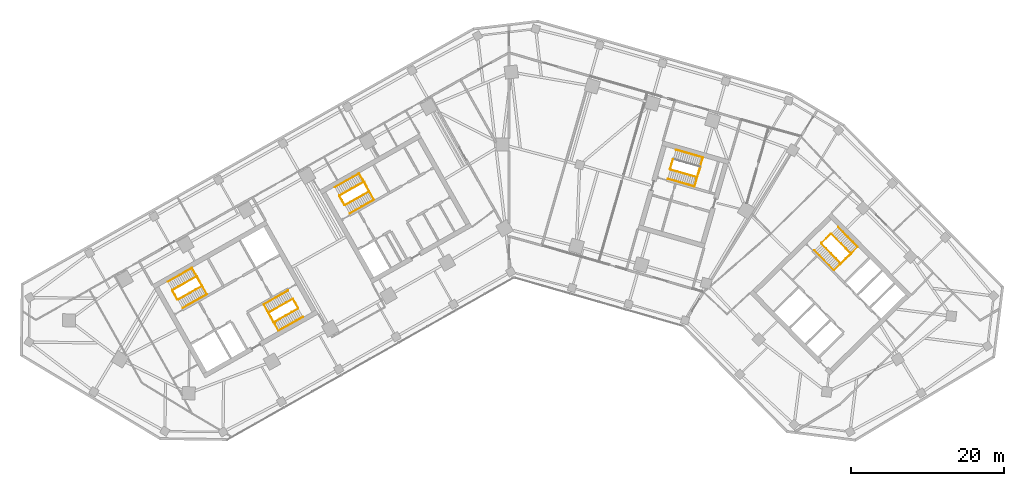
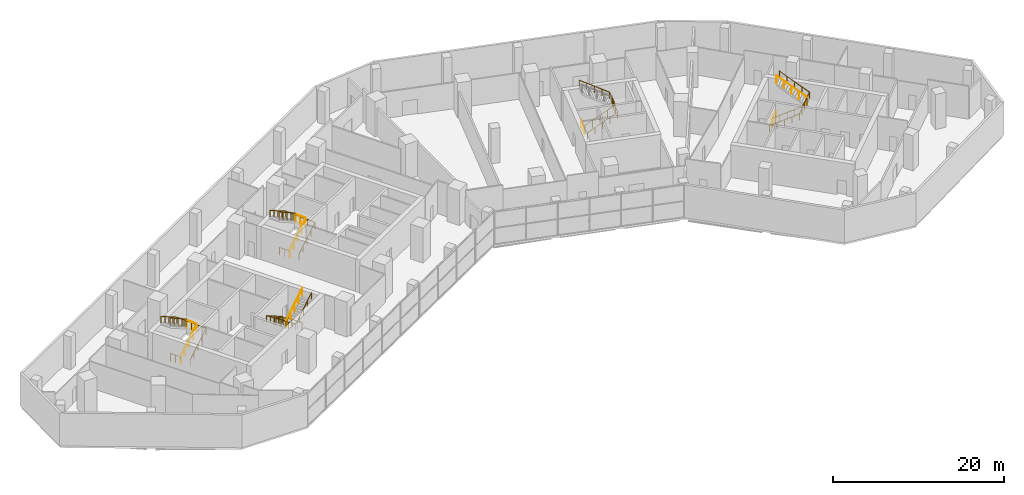
# One storey, part 15 of 16: 19 railings.
"""IFC4 building model written with IfcOpenShell, lengths in metres."""

from ifc_helpers import new_model, si_unit, direction, frame, origin, origin_2d, place, context, subcontext, project, spatial, circle, extrude, material, type_object, element, save


model = new_model("IFC4")

# Units and contexts
model_context = context("Model", 3, precision=1e-05, world=origin(), true_north=direction((0.0, 1.0)))
body_context = subcontext(model_context, "Body", "Model", "MODEL_VIEW")
ifc_project = project(units=[si_unit("LENGTHUNIT", "METRE"), si_unit("AREAUNIT", "SQUARE_METRE"), si_unit("VOLUMEUNIT", "CUBIC_METRE"), si_unit("PLANEANGLEUNIT", "RADIAN"), si_unit("MASSUNIT", "GRAM", prefix="KILO")], contexts=[model_context])

# Site, building, storey
site_placement = place(None, origin())
site = spatial("IfcSite", under=ifc_project, at=site_placement, CompositionType="ELEMENT")
building_placement = place(site_placement, origin())
building = spatial("IfcBuilding", under=site, at=building_placement, Name="Binnacle Exchange Tower", CompositionType="ELEMENT")
storey_placement = place(building_placement, frame((0.0, 0.0, 21.5)))
storey = spatial("IfcBuildingStorey", under=building, at=storey_placement, Name="L04", CompositionType="ELEMENT", Elevation=21.5)

# Railings
ifc_material_1 = material(Name="Steel guard rail", Category="steel")
railing_type_1 = type_object("IfcRailingType", Name="STAIR GUARD 1100", PredefinedType="GUARDRAIL", material=ifc_material_1)
railing_1_placement = place(storey_placement, frame((-43.26171875, 39.71728515625, 0.178466796875)))
element("IfcRailing", 1, at=railing_1_placement, inside=storey, type_object=railing_type_1, Name="L04 STA1 stair guard 1", PredefinedType="GUARDRAIL", context=body_context, shape_type="SweptSolid", body=[
    extrude(circle(Radius=0.02392578125, at=origin_2d()), frame((0.0, 0.0, 1.076171875), z_axis=(0.733795554141, 0.415191658331, 0.537735968274), x_axis=(-0.492450612189, 0.870340390052, 0.0)), (0.0, 0.0, 1.0), 4.317138671875),
    extrude(circle(Radius=0.02392578125, at=origin_2d()), frame((3.16796875, 1.79248046875, 3.3974609375), z_axis=(-0.460963092712, 0.887419307406, 0.0), x_axis=(-0.887419307406, -0.460963092712, 0.0)), (0.0, 0.0, 1.0), 1.40087890625),
    extrude(circle(Radius=0.02099609375, at=origin_2d()), origin(), (0.0, 0.0, 1.0), 1.052001953125),
    extrude(circle(Radius=0.02099609375, at=origin_2d()), frame((0.7919921875, 0.4482421875, 0.580322265625)), (0.0, 0.0, 1.0), 1.052001953125),
    extrude(circle(Radius=0.02099609375, at=origin_2d()), frame((1.583984375, 0.896240234375, 1.16064453125)), (0.0, 0.0, 1.0), 1.052001953125),
    extrude(circle(Radius=0.02099609375, at=origin_2d()), frame((2.3759765625, 1.34423828125, 1.7412109375)), (0.0, 0.0, 1.0), 1.052001953125),
    extrude(circle(Radius=0.02099609375, at=origin_2d()), frame((3.16796875, 1.79248046875, 2.321533203125)), (0.0, 0.0, 1.0), 1.052001953125),
    extrude(circle(Radius=0.02099609375, at=origin_2d()), frame((2.84521484375, 2.4140625, 2.321533203125)), (0.0, 0.0, 1.0), 1.052001953125),
    extrude(circle(Radius=0.02099609375, at=origin_2d()), frame((2.522216796875, 3.03564453125, 2.321533203125)), (0.0, 0.0, 1.0), 1.052001953125),
])
railing_2_placement = place(storey_placement, frame((-40.8076171875, 42.771728515625, 2.678466796875)))
element("IfcRailing", 2, at=railing_2_placement, inside=storey, type_object=railing_type_1, Name="L04 STA1 stair guard 2", PredefinedType="GUARDRAIL", context=body_context, shape_type="SweptSolid", body=[
    extrude(circle(Radius=0.02392578125, at=origin_2d()), frame((0.0, 0.0, 1.076171875), z_axis=(-0.733821652932, -0.415174429824, 0.537713654753), x_axis=(0.492421866095, -0.870356654361, 0.0)), (0.0, 0.0, 1.0), 4.3173828125),
    extrude(circle(Radius=0.02099609375, at=origin_2d()), origin(), (0.0, 0.0, 1.0), 1.052001953125),
    extrude(circle(Radius=0.02099609375, at=origin_2d()), frame((-0.7919921875, -0.4482421875, 0.580322265625)), (0.0, 0.0, 1.0), 1.052001953125),
    extrude(circle(Radius=0.02099609375, at=origin_2d()), frame((-1.583984375, -0.896240234375, 1.16064453125)), (0.0, 0.0, 1.0), 1.052001953125),
    extrude(circle(Radius=0.02099609375, at=origin_2d()), frame((-2.376220703125, -1.34423828125, 1.7412109375)), (0.0, 0.0, 1.0), 1.052001953125),
    extrude(circle(Radius=0.02099609375, at=origin_2d()), frame((-3.168212890625, -1.79248046875, 2.321533203125)), (0.0, 0.0, 1.0), 1.052001953125),
])
railing_3_placement = place(storey_placement, frame((-43.329833984375, 39.736328125, 0.0)))
element("IfcRailing", 3, at=railing_3_placement, inside=storey, type_object=railing_type_1, Name="L04 STA1 stair guard 3", PredefinedType="GUARDRAIL", context=body_context, shape_type="SweptSolid", body=[
    extrude(circle(Radius=0.02392578125, at=origin_2d()), frame((0.0, 0.0, 1.076171875), z_axis=(-0.4924922531, 0.870316827734, 0.0), x_axis=(-0.870316827734, -0.4924922531, 0.0)), (0.0, 0.0, 1.0), 1.349853515625),
    extrude(circle(Radius=0.02099609375, at=origin_2d()), origin(), (0.0, 0.0, 1.0), 1.052001953125),
    extrude(circle(Radius=0.02099609375, at=origin_2d()), frame((-0.33251953125, 0.58740234375, 0.0)), (0.0, 0.0, 1.0), 1.052001953125),
    extrude(circle(Radius=0.02099609375, at=origin_2d()), frame((-0.664794921875, 1.1748046875, 0.0)), (0.0, 0.0, 1.0), 1.052001953125),
])
railing_4_placement = place(storey_placement, frame((-28.265380859375, 39.814453125, 0.178466796875)))
element("IfcRailing", 4, at=railing_4_placement, inside=storey, type_object=railing_type_1, Name="L04 STA2 stair guard 1", PredefinedType="GUARDRAIL", context=body_context, shape_type="SweptSolid", body=[
    extrude(circle(Radius=0.02392578125, at=origin_2d()), frame((0.0, 0.0, 1.076171875), z_axis=(-0.733821652932, -0.415174429824, 0.537713654753), x_axis=(0.492421866095, -0.870356654361, 0.0)), (0.0, 0.0, 1.0), 4.3173828125),
    extrude(circle(Radius=0.02392578125, at=origin_2d()), frame((-3.168212890625, -1.79248046875, 3.3974609375), z_axis=(0.461100321709, -0.887348011391, 0.0), x_axis=(0.887348011391, 0.461100321709, 0.0)), (0.0, 0.0, 1.0), 1.40087890625),
    extrude(circle(Radius=0.02099609375, at=origin_2d()), origin(), (0.0, 0.0, 1.0), 1.052001953125),
    extrude(circle(Radius=0.02099609375, at=origin_2d()), frame((-0.7919921875, -0.4482421875, 0.580322265625)), (0.0, 0.0, 1.0), 1.052001953125),
    extrude(circle(Radius=0.02099609375, at=origin_2d()), frame((-1.583984375, -0.896240234375, 1.16064453125)), (0.0, 0.0, 1.0), 1.052001953125),
    extrude(circle(Radius=0.02099609375, at=origin_2d()), frame((-2.376220703125, -1.34423828125, 1.7412109375)), (0.0, 0.0, 1.0), 1.052001953125),
    extrude(circle(Radius=0.02099609375, at=origin_2d()), frame((-3.168212890625, -1.79248046875, 2.321533203125)), (0.0, 0.0, 1.0), 1.052001953125),
    extrude(circle(Radius=0.02099609375, at=origin_2d()), frame((-2.84521484375, -2.4140625, 2.321533203125)), (0.0, 0.0, 1.0), 1.052001953125),
    extrude(circle(Radius=0.02099609375, at=origin_2d()), frame((-2.522216796875, -3.03564453125, 2.321533203125)), (0.0, 0.0, 1.0), 1.052001953125),
])
railing_5_placement = place(storey_placement, frame((-30.719482421875, 36.760009765625, 2.678466796875)))
element("IfcRailing", 5, at=railing_5_placement, inside=storey, type_object=railing_type_1, Name="L04 STA2 stair guard 2", PredefinedType="GUARDRAIL", context=body_context, shape_type="SweptSolid", body=[
    extrude(circle(Radius=0.02392578125, at=origin_2d()), frame((0.0, 0.0, 1.076171875), z_axis=(0.733795554141, 0.415191658331, 0.537735968274), x_axis=(-0.492450612189, 0.870340390052, 0.0)), (0.0, 0.0, 1.0), 4.317138671875),
    extrude(circle(Radius=0.02099609375, at=origin_2d()), origin(), (0.0, 0.0, 1.0), 1.052001953125),
    extrude(circle(Radius=0.02099609375, at=origin_2d()), frame((0.7919921875, 0.4482421875, 0.580322265625)), (0.0, 0.0, 1.0), 1.052001953125),
    extrude(circle(Radius=0.02099609375, at=origin_2d()), frame((1.583984375, 0.896240234375, 1.16064453125)), (0.0, 0.0, 1.0), 1.052001953125),
    extrude(circle(Radius=0.02099609375, at=origin_2d()), frame((2.3759765625, 1.34423828125, 1.7412109375)), (0.0, 0.0, 1.0), 1.052001953125),
    extrude(circle(Radius=0.02099609375, at=origin_2d()), frame((3.16796875, 1.79248046875, 2.321533203125)), (0.0, 0.0, 1.0), 1.052001953125),
])
railing_6_placement = place(storey_placement, frame((-28.197265625, 39.795654296875, 0.0)))
element("IfcRailing", 6, at=railing_6_placement, inside=storey, type_object=railing_type_1, Name="L04 STA2 stair guard 3", PredefinedType="GUARDRAIL", context=body_context, shape_type="SweptSolid", body=[
    extrude(circle(Radius=0.02392578125, at=origin_2d()), frame((0.0, 0.0, 1.076171875), z_axis=(0.49241474071, -0.870360685654, 0.0), x_axis=(0.870360685654, 0.49241474071, 0.0)), (0.0, 0.0, 1.0), 1.35009765625),
    extrude(circle(Radius=0.02099609375, at=origin_2d()), origin(), (0.0, 0.0, 1.0), 1.052001953125),
    extrude(circle(Radius=0.02099609375, at=origin_2d()), frame((0.33251953125, -0.58740234375, 0.0)), (0.0, 0.0, 1.0), 1.052001953125),
    extrude(circle(Radius=0.02099609375, at=origin_2d()), frame((0.664794921875, -1.175048828125, 0.0)), (0.0, 0.0, 1.0), 1.052001953125),
])
railing_7_placement = place(storey_placement, frame((40.822509765625, 47.046875, 0.178466796875)))
element("IfcRailing", 7, at=railing_7_placement, inside=storey, type_object=railing_type_1, Name="L04 STB1 stair guard 1", PredefinedType="GUARDRAIL", context=body_context, shape_type="SweptSolid", body=[
    extrude(circle(Radius=0.02392578125, at=origin_2d()), frame((0.0, 0.0, 1.076171875), z_axis=(0.590946962671, -0.60135215321, 0.537733461056), x_axis=(0.713250539553, 0.700909172309, 0.0)), (0.0, 0.0, 1.0), 4.317138671875),
    extrude(circle(Radius=0.02392578125, at=origin_2d()), frame((2.55126953125, -2.59619140625, 3.3974609375), z_axis=(0.732527851538, 0.680737061369, 0.0), x_axis=(-0.680737061369, 0.732527851538, 0.0)), (0.0, 0.0, 1.0), 1.80078125),
    extrude(circle(Radius=0.02099609375, at=origin_2d()), origin(), (0.0, 0.0, 1.0), 1.052001953125),
    extrude(circle(Radius=0.02099609375, at=origin_2d()), frame((0.6376953125, -0.64892578125, 0.580322265625)), (0.0, 0.0, 1.0), 1.052001953125),
    extrude(circle(Radius=0.02099609375, at=origin_2d()), frame((1.275634765625, -1.298095703125, 1.16064453125)), (0.0, 0.0, 1.0), 1.052001953125),
    extrude(circle(Radius=0.02099609375, at=origin_2d()), frame((1.91357421875, -1.947265625, 1.7412109375)), (0.0, 0.0, 1.0), 1.052001953125),
    extrude(circle(Radius=0.02099609375, at=origin_2d()), frame((2.55126953125, -2.59619140625, 2.321533203125)), (0.0, 0.0, 1.0), 1.052001953125),
    extrude(circle(Radius=0.02099609375, at=origin_2d()), frame((3.2109375, -1.9833984375, 2.321533203125)), (0.0, 0.0, 1.0), 1.052001953125),
    extrude(circle(Radius=0.02099609375, at=origin_2d()), frame((3.870361328125, -1.370361328125, 2.321533203125)), (0.0, 0.0, 1.0), 1.052001953125),
])
railing_8_placement = place(storey_placement, frame((44.693359375, 45.747314453125, 2.678466796875)))
element("IfcRailing", 8, at=railing_8_placement, inside=storey, type_object=railing_type_1, Name="L04 STB1 stair guard 2", PredefinedType="GUARDRAIL", context=body_context, shape_type="SweptSolid", body=[
    extrude(circle(Radius=0.02392578125, at=origin_2d()), frame((0.0, 0.0, 1.076171875), z_axis=(-0.590946962671, 0.60135215321, 0.537733461056), x_axis=(-0.713250539553, -0.700909172309, 0.0)), (0.0, 0.0, 1.0), 4.317138671875),
    extrude(circle(Radius=0.02099609375, at=origin_2d()), origin(), (0.0, 0.0, 1.0), 1.052001953125),
    extrude(circle(Radius=0.02099609375, at=origin_2d()), frame((-0.6376953125, 0.64892578125, 0.580322265625)), (0.0, 0.0, 1.0), 1.052001953125),
    extrude(circle(Radius=0.02099609375, at=origin_2d()), frame((-1.275634765625, 1.298095703125, 1.16064453125)), (0.0, 0.0, 1.0), 1.052001953125),
    extrude(circle(Radius=0.02099609375, at=origin_2d()), frame((-1.91357421875, 1.947265625, 1.7412109375)), (0.0, 0.0, 1.0), 1.052001953125),
    extrude(circle(Radius=0.02099609375, at=origin_2d()), frame((-2.55126953125, 2.59619140625, 2.321533203125)), (0.0, 0.0, 1.0), 1.052001953125),
])
railing_9_placement = place(storey_placement, frame((40.8232421875, 47.117431640625, 0.0)))
element("IfcRailing", 9, at=railing_9_placement, inside=storey, type_object=railing_type_1, Name="L04 STB1 stair guard 3", PredefinedType="GUARDRAIL", context=body_context, shape_type="SweptSolid", body=[
    extrude(circle(Radius=0.02392578125, at=origin_2d()), frame((0.0, 0.0, 1.076171875), z_axis=(0.713218950569, 0.700941316052, 0.0), x_axis=(-0.700941316052, 0.713218950569, 0.0)), (0.0, 0.0, 1.0), 1.75),
    extrude(circle(Radius=0.02099609375, at=origin_2d()), origin(), (0.0, 0.0, 1.0), 1.052001953125),
    extrude(circle(Radius=0.02099609375, at=origin_2d()), frame((0.6240234375, 0.61328125, 0.0)), (0.0, 0.0, 1.0), 1.052001953125),
    extrude(circle(Radius=0.02099609375, at=origin_2d()), frame((1.248046875, 1.2265625, 0.0)), (0.0, 0.0, 1.0), 1.052001953125),
])
railing_10_placement = place(storey_placement, frame((-21.423828125, 52.07275390625, 0.178466796875)))
element("IfcRailing", 10, at=railing_10_placement, inside=storey, type_object=railing_type_1, Name="L04 STC1 stair guard 1", PredefinedType="GUARDRAIL", context=body_context, shape_type="SweptSolid", body=[
    extrude(circle(Radius=0.02392578125, at=origin_2d()), frame((0.0, 0.0, 1.076171875), z_axis=(0.733838880464, 0.415127627455, 0.537726278364), x_axis=(-0.492371057291, 0.870385398511, 0.0)), (0.0, 0.0, 1.0), 4.3173828125),
    extrude(circle(Radius=0.02392578125, at=origin_2d()), frame((3.168212890625, 1.792236328125, 3.3974609375), z_axis=(-0.461100321709, 0.887348011391, 0.0), x_axis=(-0.887348011391, -0.461100321709, 0.0)), (0.0, 0.0, 1.0), 1.40087890625),
    extrude(circle(Radius=0.02099609375, at=origin_2d()), origin(), (0.0, 0.0, 1.0), 1.052001953125),
    extrude(circle(Radius=0.02099609375, at=origin_2d()), frame((0.7919921875, 0.447998046875, 0.580322265625)), (0.0, 0.0, 1.0), 1.052001953125),
    extrude(circle(Radius=0.02099609375, at=origin_2d()), frame((1.583984375, 0.89599609375, 1.16064453125)), (0.0, 0.0, 1.0), 1.052001953125),
    extrude(circle(Radius=0.02099609375, at=origin_2d()), frame((2.376220703125, 1.34423828125, 1.7412109375)), (0.0, 0.0, 1.0), 1.052001953125),
    extrude(circle(Radius=0.02099609375, at=origin_2d()), frame((3.168212890625, 1.792236328125, 2.321533203125)), (0.0, 0.0, 1.0), 1.052001953125),
    extrude(circle(Radius=0.02099609375, at=origin_2d()), frame((2.84521484375, 2.413818359375, 2.321533203125)), (0.0, 0.0, 1.0), 1.052001953125),
    extrude(circle(Radius=0.02099609375, at=origin_2d()), frame((2.522216796875, 3.035400390625, 2.321533203125)), (0.0, 0.0, 1.0), 1.052001953125),
])
railing_11_placement = place(storey_placement, frame((-18.9697265625, 55.126953125, 2.678466796875)))
element("IfcRailing", 11, at=railing_11_placement, inside=storey, type_object=railing_type_1, Name="L04 STC1 stair guard 2", PredefinedType="GUARDRAIL", context=body_context, shape_type="SweptSolid", body=[
    extrude(circle(Radius=0.02392578125, at=origin_2d()), frame((0.0, 0.0, 1.076171875), z_axis=(-0.733812782489, -0.415144854829, 0.537748593457), x_axis=(0.492399802317, -0.870369137021, 0.0)), (0.0, 0.0, 1.0), 4.317138671875),
    extrude(circle(Radius=0.02099609375, at=origin_2d()), origin(), (0.0, 0.0, 1.0), 1.052001953125),
    extrude(circle(Radius=0.02099609375, at=origin_2d()), frame((-0.7919921875, -0.447998046875, 0.580322265625)), (0.0, 0.0, 1.0), 1.052001953125),
    extrude(circle(Radius=0.02099609375, at=origin_2d()), frame((-1.583984375, -0.89599609375, 1.16064453125)), (0.0, 0.0, 1.0), 1.052001953125),
    extrude(circle(Radius=0.02099609375, at=origin_2d()), frame((-2.3759765625, -1.34423828125, 1.7412109375)), (0.0, 0.0, 1.0), 1.052001953125),
    extrude(circle(Radius=0.02099609375, at=origin_2d()), frame((-3.16796875, -1.792236328125, 2.321533203125)), (0.0, 0.0, 1.0), 1.052001953125),
])
railing_12_placement = place(storey_placement, frame((-21.491943359375, 52.091552734375, 0.0)))
element("IfcRailing", 12, at=railing_12_placement, inside=storey, type_object=railing_type_1, Name="L04 STC1 stair guard 3", PredefinedType="GUARDRAIL", context=body_context, shape_type="SweptSolid", body=[
    extrude(circle(Radius=0.02392578125, at=origin_2d()), frame((0.0, 0.0, 1.076171875), z_axis=(-0.49241474071, 0.870360685654, 0.0), x_axis=(-0.870360685654, -0.49241474071, 0.0)), (0.0, 0.0, 1.0), 1.35009765625),
    extrude(circle(Radius=0.02099609375, at=origin_2d()), origin(), (0.0, 0.0, 1.0), 1.052001953125),
    extrude(circle(Radius=0.02099609375, at=origin_2d()), frame((-0.33251953125, 0.58740234375, 0.0)), (0.0, 0.0, 1.0), 1.052001953125),
    extrude(circle(Radius=0.02099609375, at=origin_2d()), frame((-0.664794921875, 1.175048828125, 0.0)), (0.0, 0.0, 1.0), 1.052001953125),
])
railing_13_placement = place(storey_placement, frame((21.086669921875, 56.71044921875, 0.178466796875)))
element("IfcRailing", 13, at=railing_13_placement, inside=storey, type_object=railing_type_1, Name="L04 STD1 stair guard 1", PredefinedType="GUARDRAIL", context=body_context, shape_type="SweptSolid", body=[
    extrude(circle(Radius=0.02392578125, at=origin_2d()), frame((0.0, 0.0, 1.076171875), z_axis=(0.810455892038, -0.232415135102, 0.537721537635), x_axis=(0.275659984683, 0.961255206927, 0.0)), (0.0, 0.0, 1.0), 4.3173828125),
    extrude(circle(Radius=0.02392578125, at=origin_2d()), frame((3.4990234375, -1.00341796875, 3.3974609375), z_axis=(0.309684985722, 0.950839213337, 0.0), x_axis=(-0.950839213337, 0.309684985722, 0.0)), (0.0, 0.0, 1.0), 1.40087890625),
    extrude(circle(Radius=0.02099609375, at=origin_2d()), origin(), (0.0, 0.0, 1.0), 1.052001953125),
    extrude(circle(Radius=0.02099609375, at=origin_2d()), frame((0.874755859375, -0.2509765625, 0.580322265625)), (0.0, 0.0, 1.0), 1.052001953125),
    extrude(circle(Radius=0.02099609375, at=origin_2d()), frame((1.74951171875, -0.501708984375, 1.16064453125)), (0.0, 0.0, 1.0), 1.052001953125),
    extrude(circle(Radius=0.02099609375, at=origin_2d()), frame((2.624267578125, -0.75244140625, 1.7412109375)), (0.0, 0.0, 1.0), 1.052001953125),
    extrude(circle(Radius=0.02099609375, at=origin_2d()), frame((3.4990234375, -1.00341796875, 2.321533203125)), (0.0, 0.0, 1.0), 1.052001953125),
    extrude(circle(Radius=0.02099609375, at=origin_2d()), frame((3.7158203125, -0.33740234375, 2.321533203125)), (0.0, 0.0, 1.0), 1.052001953125),
    extrude(circle(Radius=0.02099609375, at=origin_2d()), frame((3.932861328125, 0.32861328125, 2.321533203125)), (0.0, 0.0, 1.0), 1.052001953125),
])
railing_14_placement = place(storey_placement, frame((21.05224609375, 56.772216796875, 0.0)))
element("IfcRailing", 14, at=railing_14_placement, inside=storey, type_object=railing_type_1, Name="L04 STD1 stair guard 3", PredefinedType="GUARDRAIL", context=body_context, shape_type="SweptSolid", body=[
    extrude(circle(Radius=0.02392578125, at=origin_2d()), frame((0.0, 0.0, 1.076171875), z_axis=(0.275795817769, 0.961216243569, 0.0), x_axis=(-0.961216243569, 0.275795817769, 0.0)), (0.0, 0.0, 1.0), 1.349853515625),
    extrude(circle(Radius=0.02099609375, at=origin_2d()), origin(), (0.0, 0.0, 1.0), 1.052001953125),
    extrude(circle(Radius=0.02099609375, at=origin_2d()), frame((0.18603515625, 0.64892578125, 0.0)), (0.0, 0.0, 1.0), 1.052001953125),
    extrude(circle(Radius=0.02099609375, at=origin_2d()), frame((0.372314453125, 1.297607421875, 0.0)), (0.0, 0.0, 1.0), 1.052001953125),
])
ifc_material_2 = material(Name="Steel handrail", Category="steel")
railing_type_2 = type_object("IfcRailingType", Name="STAIR HANDRAIL 900", PredefinedType="HANDRAIL", material=ifc_material_2)
railing_15_placement = place(storey_placement, frame((-42.646240234375, 38.62939453125, 0.178466796875)))
element("IfcRailing", 15, at=railing_15_placement, inside=storey, type_object=railing_type_2, Name="L04 STA1 stair handrail 1", PredefinedType="HANDRAIL", context=body_context, shape_type="SweptSolid", body=[
    extrude(circle(Radius=0.02392578125, at=origin_2d()), frame((0.0, 0.0, 0.8759765625), z_axis=(0.733821652932, 0.415174429824, 0.537713654753), x_axis=(-0.492421866095, 0.870356654361, 0.0)), (0.0, 0.0, 1.0), 4.3173828125),
    extrude(circle(Radius=0.02392578125, at=origin_2d()), frame((3.168212890625, 1.79248046875, 3.197265625), z_axis=(-0.491985021148, 0.869432866815, 0.045135674003), x_axis=(-0.870319839224, -0.492486931251, 0.0)), (0.0, 0.0, 1.0), 3.9541015625),
    extrude(circle(Radius=0.02392578125, at=origin_2d()), frame((1.222900390625, 5.230224609375, 3.3759765625), z_axis=(-0.733812782489, -0.415144854829, 0.537748593457), x_axis=(0.492399802317, -0.870369137021, 0.0)), (0.0, 0.0, 1.0), 4.317138671875),
    extrude(circle(Radius=0.02099609375, at=origin_2d()), origin(), (0.0, 0.0, 1.0), 0.851806640625),
    extrude(circle(Radius=0.02099609375, at=origin_2d()), frame((0.7919921875, 0.4482421875, 0.580322265625)), (0.0, 0.0, 1.0), 0.851806640625),
    extrude(circle(Radius=0.02099609375, at=origin_2d()), frame((1.583984375, 0.896240234375, 1.16064453125)), (0.0, 0.0, 1.0), 0.851806640625),
    extrude(circle(Radius=0.02099609375, at=origin_2d()), frame((2.376220703125, 1.34423828125, 1.7412109375)), (0.0, 0.0, 1.0), 0.851806640625),
    extrude(circle(Radius=0.02099609375, at=origin_2d()), frame((3.168212890625, 1.79248046875, 2.321533203125)), (0.0, 0.0, 1.0), 0.851806640625),
    extrude(circle(Radius=0.02099609375, at=origin_2d()), frame((2.681884765625, 2.65185546875, 2.3662109375)), (0.0, 0.0, 1.0), 0.851806640625),
    extrude(circle(Radius=0.02099609375, at=origin_2d()), frame((2.195556640625, 3.51123046875, 2.41064453125)), (0.0, 0.0, 1.0), 0.851806640625),
    extrude(circle(Radius=0.02099609375, at=origin_2d()), frame((1.709228515625, 4.370849609375, 2.455322265625)), (0.0, 0.0, 1.0), 0.851806640625),
    extrude(circle(Radius=0.02099609375, at=origin_2d()), frame((1.222900390625, 5.230224609375, 2.5)), (0.0, 0.0, 1.0), 0.851806640625),
    extrude(circle(Radius=0.02099609375, at=origin_2d()), frame((0.430908203125, 4.7822265625, 3.080322265625)), (0.0, 0.0, 1.0), 0.851806640625),
    extrude(circle(Radius=0.02099609375, at=origin_2d()), frame((-0.361083984375, 4.333984375, 3.66064453125)), (0.0, 0.0, 1.0), 0.851806640625),
    extrude(circle(Radius=0.02099609375, at=origin_2d()), frame((-1.153076171875, 3.885986328125, 4.2412109375)), (0.0, 0.0, 1.0), 0.851806640625),
    extrude(circle(Radius=0.02099609375, at=origin_2d()), frame((-1.945068359375, 3.43798828125, 4.821533203125)), (0.0, 0.0, 1.0), 0.851806640625),
])
railing_16_placement = place(storey_placement, frame((-28.880859375, 40.90234375, 0.178466796875)))
element("IfcRailing", 16, at=railing_16_placement, inside=storey, type_object=railing_type_2, Name="L04 STA2 stair handrail 1", PredefinedType="HANDRAIL", context=body_context, shape_type="SweptSolid", body=[
    extrude(circle(Radius=0.02392578125, at=origin_2d()), frame((0.0, 0.0, 0.8759765625), z_axis=(-0.733838880464, -0.415127627455, 0.537726278364), x_axis=(0.492371057291, -0.870385398511, 0.0)), (0.0, 0.0, 1.0), 4.3173828125),
    extrude(circle(Radius=0.02392578125, at=origin_2d()), frame((-3.168212890625, -1.792236328125, 3.197265625), z_axis=(0.491911810019, -0.86947434526, 0.045134621956), x_axis=(0.870361318571, 0.492413622004, 0.0)), (0.0, 0.0, 1.0), 3.9541015625),
    extrude(circle(Radius=0.02392578125, at=origin_2d()), frame((-1.22314453125, -5.230224609375, 3.3759765625), z_axis=(0.733821652932, 0.415174429824, 0.537713654753), x_axis=(-0.492421866095, 0.870356654361, 0.0)), (0.0, 0.0, 1.0), 4.3173828125),
    extrude(circle(Radius=0.02099609375, at=origin_2d()), origin(), (0.0, 0.0, 1.0), 0.851806640625),
    extrude(circle(Radius=0.02099609375, at=origin_2d()), frame((-0.7919921875, -0.447998046875, 0.580322265625)), (0.0, 0.0, 1.0), 0.851806640625),
    extrude(circle(Radius=0.02099609375, at=origin_2d()), frame((-1.583984375, -0.89599609375, 1.16064453125)), (0.0, 0.0, 1.0), 0.851806640625),
    extrude(circle(Radius=0.02099609375, at=origin_2d()), frame((-2.376220703125, -1.34423828125, 1.7412109375)), (0.0, 0.0, 1.0), 0.851806640625),
    extrude(circle(Radius=0.02099609375, at=origin_2d()), frame((-3.168212890625, -1.792236328125, 2.321533203125)), (0.0, 0.0, 1.0), 0.851806640625),
    extrude(circle(Radius=0.02099609375, at=origin_2d()), frame((-2.681884765625, -2.65185546875, 2.3662109375)), (0.0, 0.0, 1.0), 0.851806640625),
    extrude(circle(Radius=0.02099609375, at=origin_2d()), frame((-2.19580078125, -3.51123046875, 2.41064453125)), (0.0, 0.0, 1.0), 0.851806640625),
    extrude(circle(Radius=0.02099609375, at=origin_2d()), frame((-1.70947265625, -4.37060546875, 2.455322265625)), (0.0, 0.0, 1.0), 0.851806640625),
    extrude(circle(Radius=0.02099609375, at=origin_2d()), frame((-1.22314453125, -5.230224609375, 2.5)), (0.0, 0.0, 1.0), 0.851806640625),
    extrude(circle(Radius=0.02099609375, at=origin_2d()), frame((-0.43115234375, -4.7822265625, 3.080322265625)), (0.0, 0.0, 1.0), 0.851806640625),
    extrude(circle(Radius=0.02099609375, at=origin_2d()), frame((0.36083984375, -4.333984375, 3.66064453125)), (0.0, 0.0, 1.0), 0.851806640625),
    extrude(circle(Radius=0.02099609375, at=origin_2d()), frame((1.153076171875, -3.8857421875, 4.2412109375)), (0.0, 0.0, 1.0), 0.851806640625),
    extrude(circle(Radius=0.02099609375, at=origin_2d()), frame((1.945068359375, -3.437744140625, 4.821533203125)), (0.0, 0.0, 1.0), 0.851806640625),
])
railing_17_placement = place(storey_placement, frame((39.930908203125, 46.170654296875, 0.178466796875)))
element("IfcRailing", 17, at=railing_17_placement, inside=storey, type_object=railing_type_2, Name="L04 STB1 stair handrail 1", PredefinedType="HANDRAIL", context=body_context, shape_type="SweptSolid", body=[
    extrude(circle(Radius=0.02392578125, at=origin_2d()), frame((0.0, 0.0, 0.8759765625), z_axis=(0.590983762497, -0.601332057257, 0.53771549111), x_axis=(0.713217009097, 0.700943291525, 0.0)), (0.0, 0.0, 1.0), 4.3173828125),
    extrude(circle(Radius=0.02392578125, at=origin_2d()), frame((2.551513671875, -2.59619140625, 3.197265625), z_axis=(0.712654164256, 0.700316745611, 0.040993877406), x_axis=(-0.700905928746, 0.713253726978, 0.0)), (0.0, 0.0, 1.0), 4.353515625),
    extrude(circle(Radius=0.02392578125, at=origin_2d()), frame((5.654052734375, 0.45263671875, 3.3759765625), z_axis=(-0.590926866753, 0.601388251475, 0.537715174732), x_axis=(-0.713283488215, -0.700875641922, 0.0)), (0.0, 0.0, 1.0), 4.3173828125),
    extrude(circle(Radius=0.02099609375, at=origin_2d()), origin(), (0.0, 0.0, 1.0), 0.851806640625),
    extrude(circle(Radius=0.02099609375, at=origin_2d()), frame((0.637939453125, -0.64892578125, 0.580322265625)), (0.0, 0.0, 1.0), 0.851806640625),
    extrude(circle(Radius=0.02099609375, at=origin_2d()), frame((1.27587890625, -1.298095703125, 1.16064453125)), (0.0, 0.0, 1.0), 0.851806640625),
    extrude(circle(Radius=0.02099609375, at=origin_2d()), frame((1.91357421875, -1.947265625, 1.7412109375)), (0.0, 0.0, 1.0), 0.851806640625),
    extrude(circle(Radius=0.02099609375, at=origin_2d()), frame((2.551513671875, -2.59619140625, 2.321533203125)), (0.0, 0.0, 1.0), 0.851806640625),
    extrude(circle(Radius=0.02099609375, at=origin_2d()), frame((3.3271484375, -1.833984375, 2.3662109375)), (0.0, 0.0, 1.0), 0.851806640625),
    extrude(circle(Radius=0.02099609375, at=origin_2d()), frame((4.102783203125, -1.07177734375, 2.41064453125)), (0.0, 0.0, 1.0), 0.851806640625),
    extrude(circle(Radius=0.02099609375, at=origin_2d()), frame((4.87841796875, -0.3095703125, 2.455322265625)), (0.0, 0.0, 1.0), 0.851806640625),
    extrude(circle(Radius=0.02099609375, at=origin_2d()), frame((5.654052734375, 0.45263671875, 2.5)), (0.0, 0.0, 1.0), 0.851806640625),
    extrude(circle(Radius=0.02099609375, at=origin_2d()), frame((5.01611328125, 1.101806640625, 3.080322265625)), (0.0, 0.0, 1.0), 0.851806640625),
    extrude(circle(Radius=0.02099609375, at=origin_2d()), frame((4.37841796875, 1.7509765625, 3.66064453125)), (0.0, 0.0, 1.0), 0.851806640625),
    extrude(circle(Radius=0.02099609375, at=origin_2d()), frame((3.74072265625, 2.39990234375, 4.2412109375)), (0.0, 0.0, 1.0), 0.851806640625),
    extrude(circle(Radius=0.02099609375, at=origin_2d()), frame((3.102783203125, 3.049072265625, 4.821533203125)), (0.0, 0.0, 1.0), 0.851806640625),
])
railing_18_placement = place(storey_placement, frame((-20.808349609375, 50.984619140625, 0.178466796875)))
element("IfcRailing", 18, at=railing_18_placement, inside=storey, type_object=railing_type_2, Name="L04 STC1 stair handrail 1", PredefinedType="HANDRAIL", context=body_context, shape_type="SweptSolid", body=[
    extrude(circle(Radius=0.02392578125, at=origin_2d()), frame((0.0, 0.0, 0.8759765625), z_axis=(0.733821652932, 0.415174429824, 0.537713654753), x_axis=(-0.492421866095, 0.870356654361, 0.0)), (0.0, 0.0, 1.0), 4.3173828125),
    extrude(circle(Radius=0.02392578125, at=origin_2d()), frame((3.168212890625, 1.79248046875, 3.197265625), z_axis=(-0.491911810019, 0.86947434526, 0.045134621956), x_axis=(-0.870361318571, -0.492413622004, 0.0)), (0.0, 0.0, 1.0), 3.9541015625),
    extrude(circle(Radius=0.02392578125, at=origin_2d()), frame((1.22314453125, 5.23046875, 3.3759765625), z_axis=(-0.733821652932, -0.415174429824, 0.537713654753), x_axis=(0.492421866095, -0.870356654361, 0.0)), (0.0, 0.0, 1.0), 4.3173828125),
    extrude(circle(Radius=0.02099609375, at=origin_2d()), origin(), (0.0, 0.0, 1.0), 0.851806640625),
    extrude(circle(Radius=0.02099609375, at=origin_2d()), frame((0.7919921875, 0.4482421875, 0.580322265625)), (0.0, 0.0, 1.0), 0.851806640625),
    extrude(circle(Radius=0.02099609375, at=origin_2d()), frame((1.583984375, 0.896240234375, 1.16064453125)), (0.0, 0.0, 1.0), 0.851806640625),
    extrude(circle(Radius=0.02099609375, at=origin_2d()), frame((2.376220703125, 1.34423828125, 1.7412109375)), (0.0, 0.0, 1.0), 0.851806640625),
    extrude(circle(Radius=0.02099609375, at=origin_2d()), frame((3.168212890625, 1.79248046875, 2.321533203125)), (0.0, 0.0, 1.0), 0.851806640625),
    extrude(circle(Radius=0.02099609375, at=origin_2d()), frame((2.681884765625, 2.65185546875, 2.3662109375)), (0.0, 0.0, 1.0), 0.851806640625),
    extrude(circle(Radius=0.02099609375, at=origin_2d()), frame((2.19580078125, 3.511474609375, 2.41064453125)), (0.0, 0.0, 1.0), 0.851806640625),
    extrude(circle(Radius=0.02099609375, at=origin_2d()), frame((1.70947265625, 4.37109375, 2.455322265625)), (0.0, 0.0, 1.0), 0.851806640625),
    extrude(circle(Radius=0.02099609375, at=origin_2d()), frame((1.22314453125, 5.23046875, 2.5)), (0.0, 0.0, 1.0), 0.851806640625),
    extrude(circle(Radius=0.02099609375, at=origin_2d()), frame((0.43115234375, 4.7822265625, 3.080322265625)), (0.0, 0.0, 1.0), 0.851806640625),
    extrude(circle(Radius=0.02099609375, at=origin_2d()), frame((-0.36083984375, 4.334228515625, 3.66064453125)), (0.0, 0.0, 1.0), 0.851806640625),
    extrude(circle(Radius=0.02099609375, at=origin_2d()), frame((-1.153076171875, 3.88623046875, 4.2412109375)), (0.0, 0.0, 1.0), 0.851806640625),
    extrude(circle(Radius=0.02099609375, at=origin_2d()), frame((-1.945068359375, 3.43798828125, 4.821533203125)), (0.0, 0.0, 1.0), 0.851806640625),
])
railing_19_placement = place(storey_placement, frame((20.7421875, 55.5087890625, 0.178466796875)))
element("IfcRailing", 19, at=railing_19_placement, inside=storey, type_object=railing_type_2, Name="L04 STD1 stair handrail 1", PredefinedType="HANDRAIL", context=body_context, shape_type="SweptSolid", body=[
    extrude(circle(Radius=0.02392578125, at=origin_2d()), frame((0.0, 0.0, 0.8759765625), z_axis=(0.810436485383, -0.2324257871, 0.537746182368), x_axis=(0.27567775811, 0.961250109848, 0.0)), (0.0, 0.0, 1.0), 4.317138671875),
    extrude(circle(Radius=0.02392578125, at=origin_2d()), frame((3.498779296875, -1.00341796875, 3.197265625), z_axis=(0.275370676617, 0.960278056821, 0.045133624351), x_axis=(-0.961257617982, 0.275651576943, 0.0)), (0.0, 0.0, 1.0), 3.9541015625),
    extrude(circle(Radius=0.02392578125, at=origin_2d()), frame((4.587646484375, 2.793701171875, 3.3759765625), z_axis=(-0.810466542589, 0.232361639932, 0.537728604067), x_axis=(-0.275598008994, -0.961272977587, 0.0)), (0.0, 0.0, 1.0), 4.3173828125),
    extrude(circle(Radius=0.02099609375, at=origin_2d()), origin(), (0.0, 0.0, 1.0), 0.851806640625),
    extrude(circle(Radius=0.02099609375, at=origin_2d()), frame((0.874755859375, -0.2509765625, 0.580322265625)), (0.0, 0.0, 1.0), 0.851806640625),
    extrude(circle(Radius=0.02099609375, at=origin_2d()), frame((1.74951171875, -0.501708984375, 1.16064453125)), (0.0, 0.0, 1.0), 0.851806640625),
    extrude(circle(Radius=0.02099609375, at=origin_2d()), frame((2.6240234375, -0.75244140625, 1.7412109375)), (0.0, 0.0, 1.0), 0.851806640625),
    extrude(circle(Radius=0.02099609375, at=origin_2d()), frame((3.498779296875, -1.00341796875, 2.321533203125)), (0.0, 0.0, 1.0), 0.851806640625),
    extrude(circle(Radius=0.02099609375, at=origin_2d()), frame((3.77099609375, -0.05419921875, 2.3662109375)), (0.0, 0.0, 1.0), 0.851806640625),
    extrude(circle(Radius=0.02099609375, at=origin_2d()), frame((4.043212890625, 0.89501953125, 2.41064453125)), (0.0, 0.0, 1.0), 0.851806640625),
    extrude(circle(Radius=0.02099609375, at=origin_2d()), frame((4.3154296875, 1.844482421875, 2.455322265625)), (0.0, 0.0, 1.0), 0.851806640625),
    extrude(circle(Radius=0.02099609375, at=origin_2d()), frame((4.587646484375, 2.793701171875, 2.5)), (0.0, 0.0, 1.0), 0.851806640625),
    extrude(circle(Radius=0.02099609375, at=origin_2d()), frame((3.712890625, 3.04443359375, 3.080322265625)), (0.0, 0.0, 1.0), 0.851806640625),
    extrude(circle(Radius=0.02099609375, at=origin_2d()), frame((2.838134765625, 3.29541015625, 3.66064453125)), (0.0, 0.0, 1.0), 0.851806640625),
    extrude(circle(Radius=0.02099609375, at=origin_2d()), frame((1.96337890625, 3.546142578125, 4.2412109375)), (0.0, 0.0, 1.0), 0.851806640625),
    extrude(circle(Radius=0.02099609375, at=origin_2d()), frame((1.088623046875, 3.796875, 4.821533203125)), (0.0, 0.0, 1.0), 0.851806640625),
])

save(model, "model.ifc")
